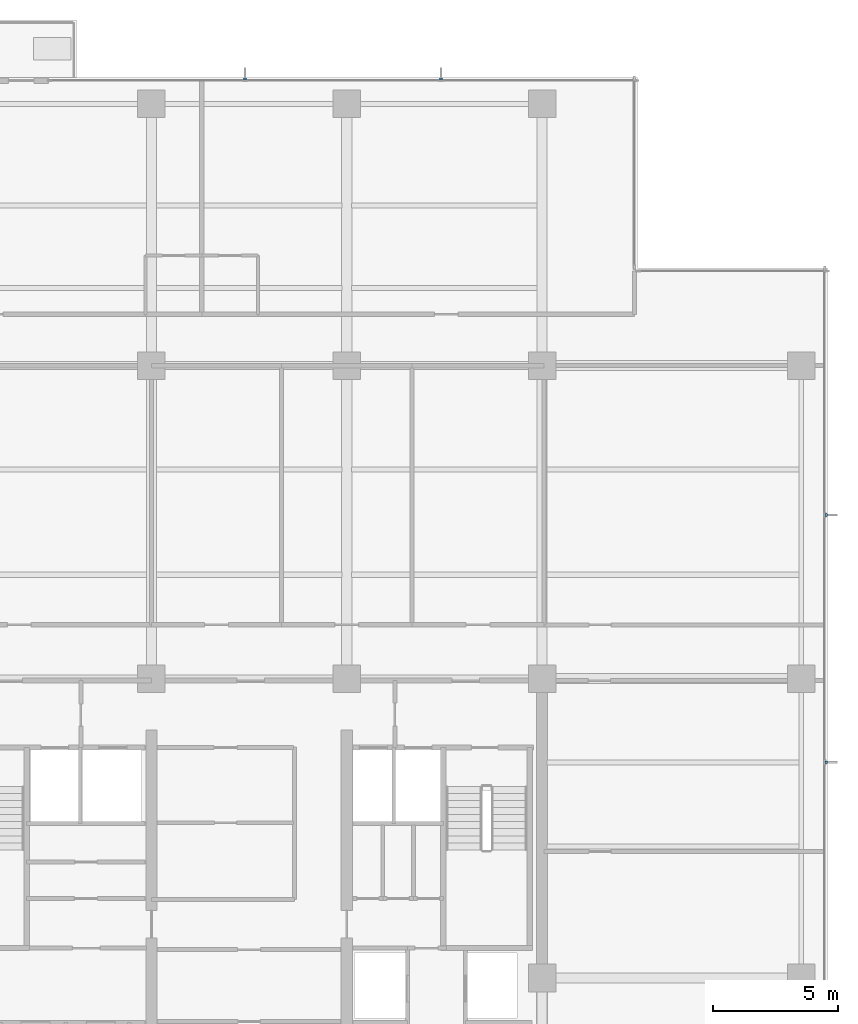
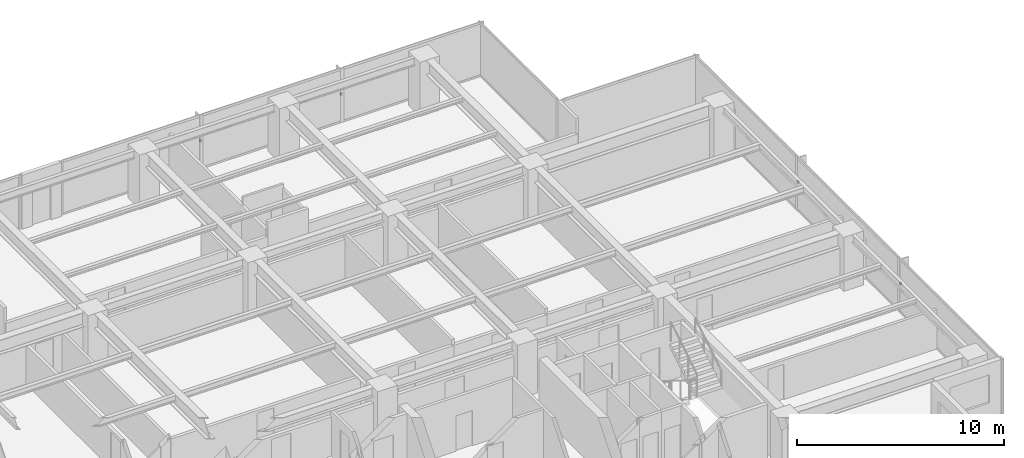
# One storey, part 12 of 14: 4 discrete accessories.
"""IFC4 building model written with IfcOpenShell, lengths in metres."""

from ifc_helpers import new_model, si_unit, direction, frame, origin, place, context, subcontext, project, spatial, polyline, outline, extrude, material, type_object, element, save


model = new_model("IFC4")

# Units and contexts
model_context = context("Model", 3, precision=1e-05, world=origin(), true_north=direction((0.0, 1.0)))
body_context = subcontext(model_context, "Body", "Model", "MODEL_VIEW")
ifc_project = project(units=[si_unit("LENGTHUNIT", "METRE"), si_unit("AREAUNIT", "SQUARE_METRE"), si_unit("VOLUMEUNIT", "CUBIC_METRE"), si_unit("PLANEANGLEUNIT", "RADIAN"), si_unit("MASSUNIT", "GRAM", prefix="KILO")], contexts=[model_context])

# Site, building, storey
site_placement = place(None, origin())
site = spatial("IfcSite", under=ifc_project, at=site_placement, CompositionType="ELEMENT")
building_placement = place(site_placement, origin())
building = spatial("IfcBuilding", under=site, at=building_placement, Name="Qalmaran Belvedere Hotel", CompositionType="ELEMENT")
storey_placement = place(building_placement, frame((0.0, 0.0, 180.60009765625)))
storey = spatial("IfcBuildingStorey", under=building, at=storey_placement, Name="L46", CompositionType="ELEMENT", Elevation=180.60009765625)

# Discrete accessories
ifc_material = material(Name="Stainless Steel 1.4401", Category="steel")
discrete_accessory_type = type_object("IfcDiscreteAccessoryType", Name="BRK-FIN-SS316", PredefinedType="BRACKET", material=ifc_material)
discrete_accessory_1_placement = place(storey_placement, frame((0.0, 0.0, 1.539794921875)))
element("IfcDiscreteAccessory", 1, at=discrete_accessory_1_placement, inside=storey, type_object=discrete_accessory_type, Name="L46 Fin Bracket 1", PredefinedType="BRACKET", context=body_context, shape_type="SweptSolid", body=[
    extrude(outline(polyline([(56.094970703125, 17.11181640625), (56.18994140625, 17.11181640625), (56.18994140625, 17.2216796875), (56.094970703125, 17.2216796875), (56.094970703125, 17.11181640625)])), origin(), (0.0, 0.0, 1.0), 0.14013671875),
])
discrete_accessory_2_placement = place(storey_placement, frame((0.0, 0.0, 1.539794921875)))
element("IfcDiscreteAccessory", 2, at=discrete_accessory_2_placement, inside=storey, type_object=discrete_accessory_type, Name="L46 Fin Bracket 2", PredefinedType="BRACKET", context=body_context, shape_type="SweptSolid", body=[
    extrude(outline(polyline([(56.094970703125, 26.978271484375), (56.18994140625, 26.978271484375), (56.18994140625, 27.08837890625), (56.094970703125, 27.08837890625), (56.094970703125, 26.978271484375)])), origin(), (0.0, 0.0, 1.0), 0.14013671875),
])
discrete_accessory_3_placement = place(storey_placement, frame((0.0, 0.0, 1.539794921875)))
element("IfcDiscreteAccessory", 3, at=discrete_accessory_3_placement, inside=storey, type_object=discrete_accessory_type, Name="L46 Fin Bracket 1", PredefinedType="BRACKET", context=body_context, shape_type="SweptSolid", body=[
    extrude(outline(polyline([(40.82177734375, 44.39501953125), (40.82177734375, 44.489990234375), (40.711669921875, 44.489990234375), (40.711669921875, 44.39501953125), (40.82177734375, 44.39501953125)])), origin(), (0.0, 0.0, 1.0), 0.14013671875),
])
discrete_accessory_4_placement = place(storey_placement, frame((0.0, 0.0, 1.539794921875)))
element("IfcDiscreteAccessory", 4, at=discrete_accessory_4_placement, inside=storey, type_object=discrete_accessory_type, Name="L46 Fin Bracket 2", PredefinedType="BRACKET", context=body_context, shape_type="SweptSolid", body=[
    extrude(outline(polyline([(32.98828125, 44.39501953125), (32.98828125, 44.489990234375), (32.87841796875, 44.489990234375), (32.87841796875, 44.39501953125), (32.98828125, 44.39501953125)])), origin(), (0.0, 0.0, 1.0), 0.14013671875),
])

save(model, "model.ifc")
